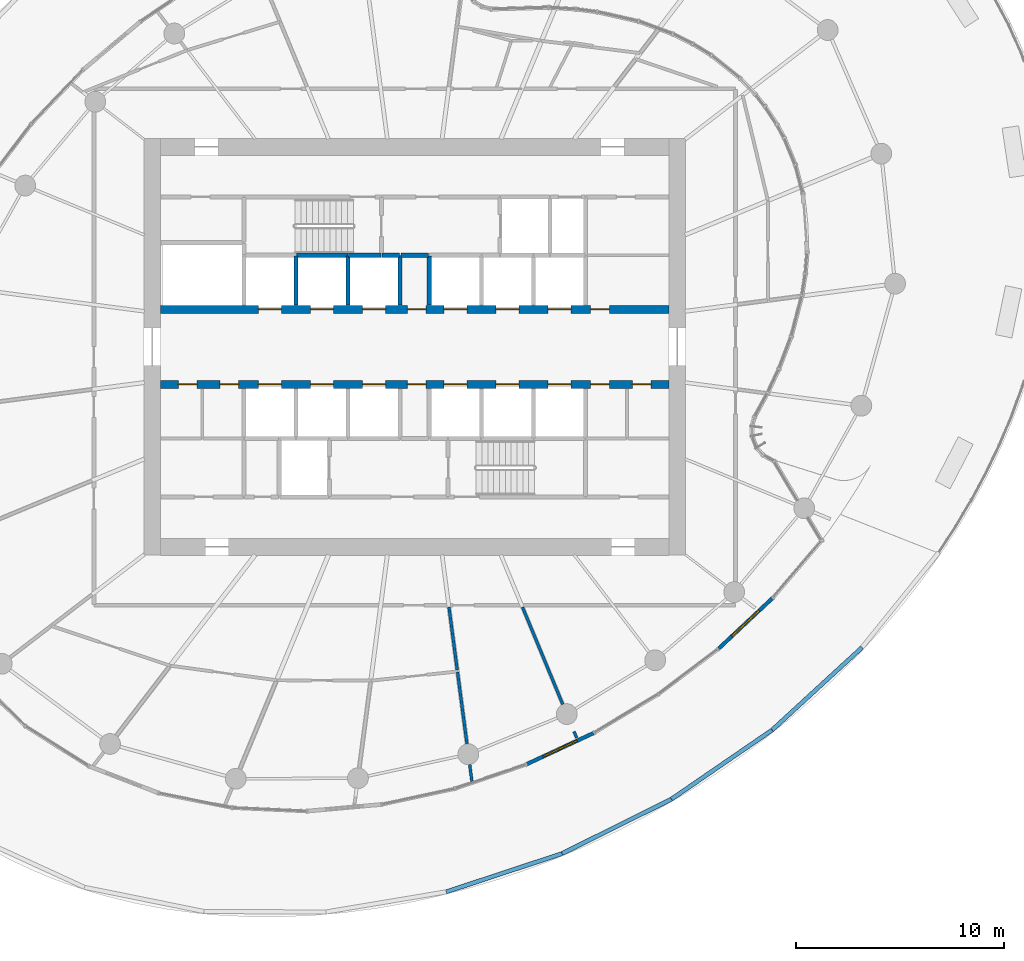
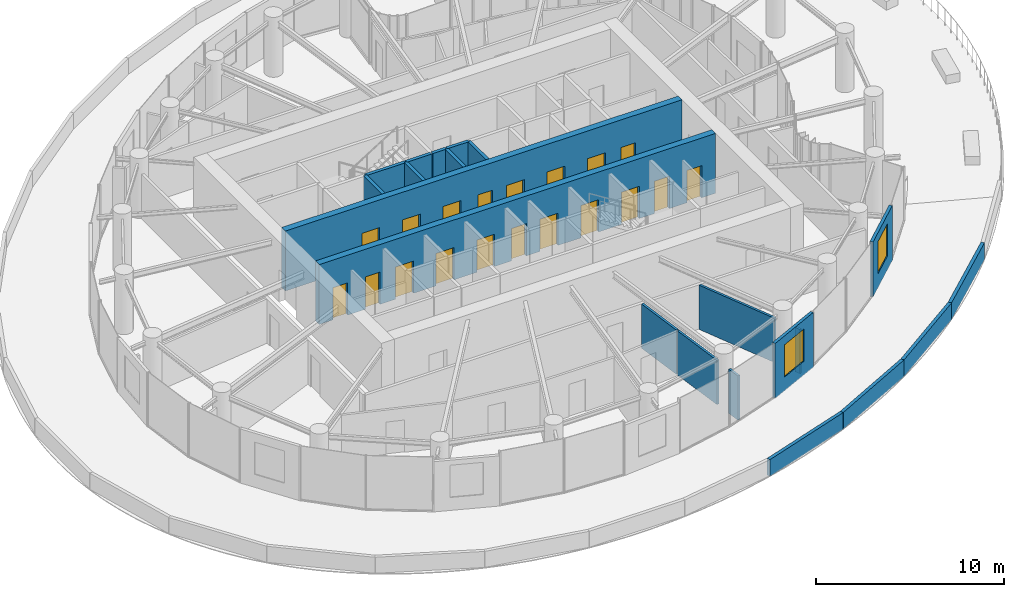
# One storey, part 14 of 21: 21 walls, 19 doors, 2 windows, 21 openings.
"""IFC4 building model written with IfcOpenShell, lengths in metres."""

from ifc_helpers import new_model, si_unit, direction, frame, frame_2d, origin, place, context, subcontext, project, spatial, rectangle, extrude, source, transform, mapped, material, layer, layer_set, type_object, element, fill, save


model = new_model("IFC4")

# Units and contexts
model_context = context("Model", 3, precision=1e-05, world=origin(), true_north=direction((0.0, 1.0)))
body_context = subcontext(model_context, "Body", "Model", "MODEL_VIEW")
ifc_project = project(units=[si_unit("LENGTHUNIT", "METRE"), si_unit("AREAUNIT", "SQUARE_METRE"), si_unit("VOLUMEUNIT", "CUBIC_METRE"), si_unit("PLANEANGLEUNIT", "RADIAN"), si_unit("MASSUNIT", "GRAM", prefix="KILO")], contexts=[model_context])

# Site, building, storey
site_placement = place(None, origin())
site = spatial("IfcSite", under=ifc_project, at=site_placement, CompositionType="ELEMENT")
building_placement = place(site_placement, origin())
building = spatial("IfcBuilding", under=site, at=building_placement, Name="Spindrift Exchange Tower", CompositionType="ELEMENT")
storey_placement = place(building_placement, frame((0.0, 0.0, 133.10009765625)))
storey = spatial("IfcBuildingStorey", under=building, at=storey_placement, Name="L31", CompositionType="ELEMENT", Elevation=133.10009765625)

# Walls
ifc_material_1 = material(Name="Concrete 40 MPa", Category="concrete")
ifc_layer_1 = layer(ifc_material_1, 0.199951171875)
ifc_layer_set_1 = layer_set([ifc_layer_1], Name="LEDGE PARAPET 1100")
wall_type_1 = type_object("IfcWallType", Name="LEDGE PARAPET 1100", PredefinedType="PARAPET", material=ifc_layer_set_1)
wall_1_placement = place(storey_placement, frame((73.472900390625, 33.572021484375, 0.0), z_axis=(0.0, 0.0, 1.0), x_axis=(-0.736607402207, -0.676320585975, 0.0)))
element("IfcWall", 1, at=wall_1_placement, inside=storey, type_object=wall_type_1, Name="L31 Ledge Parapet 2", PredefinedType="PARAPET", context=body_context, shape_type="SweptSolid", body=[
    extrude(rectangle(XDim=5.85986328125, YDim=0.199951171875, at=frame_2d((2.929931640625, 0.0))), origin(), (0.0, 0.0, 1.0), 1.099853515625),
])
wall_2_placement = place(storey_placement, frame((69.156494140625, 29.60888671875, 0.0), z_axis=(0.0, 0.0, 1.0), x_axis=(-0.824488962641, -0.565878034989, 0.0)))
element("IfcWall", 2, at=wall_2_placement, inside=storey, type_object=wall_type_1, Name="L31 Ledge Parapet 3", PredefinedType="PARAPET", context=body_context, shape_type="SweptSolid", body=[
    extrude(rectangle(XDim=5.860595703125, YDim=0.199951171875, at=frame_2d((2.93017578125, 0.0))), origin(), (0.0, 0.0, 1.0), 1.099853515625),
])
wall_3_placement = place(storey_placement, frame((64.324462890625, 26.29248046875, 0.0), z_axis=(0.0, 0.0, 1.0), x_axis=(-0.895150902045, -0.445763235998, 0.0)))
element("IfcWall", 3, at=wall_3_placement, inside=storey, type_object=wall_type_1, Name="L31 Ledge Parapet 4", PredefinedType="PARAPET", context=body_context, shape_type="SweptSolid", body=[
    extrude(rectangle(XDim=5.8603515625, YDim=0.199951171875, at=frame_2d((2.93017578125, 0.0))), origin(), (0.0, 0.0, 1.0), 1.099853515625),
])
wall_4_placement = place(storey_placement, frame((59.07861328125, 23.68017578125, 0.0), z_axis=(0.0, 0.0, 1.0), x_axis=(-0.949529786388, -0.313676879545, 0.0)))
element("IfcWall", 4, at=wall_4_placement, inside=storey, type_object=wall_type_1, Name="L31 Ledge Parapet 5", PredefinedType="PARAPET", context=body_context, shape_type="SweptSolid", body=[
    extrude(rectangle(XDim=5.85986328125, YDim=0.199951171875, at=frame_2d((2.929931640625, 0.0))), origin(), (0.0, 0.0, 1.0), 1.099853515625),
])

# Wall, openings, doors
ifc_material_2 = material(Name="Concrete 65 MPa", Category="concrete")
ifc_layer_2 = layer(ifc_material_2, 0.39990234375)
ifc_layer_set_2 = layer_set([ifc_layer_2], Name="RC Spine Wall 400 Concrete 65 MPa")
wall_type_2 = type_object("IfcWallType", Name="RC Spine Wall 400 Concrete 65 MPa", PredefinedType="SHEAR", material=ifc_layer_set_2)
wall_5_placement = place(storey_placement, frame((39.800048828125, 49.800048828125, 0.0), z_axis=(0.0, 0.0, 1.0), x_axis=(1.0, 0.0, 0.0)))
wall_5 = element("IfcWall", 5, at=wall_5_placement, inside=storey, type_object=wall_type_2, Name="Core spine wall N L31", PredefinedType="SHEAR", context=body_context, shape_type="SweptSolid", body=[
    extrude(rectangle(XDim=24.39990234375, YDim=0.39990234375, at=frame_2d((12.199951171875, 0.0))), origin(), (0.0, 0.0, 1.0), 3.89990234375),
])
opening_1_placement = place(wall_5_placement, frame((13.60009765625, 0.0, 0.0)))
opening_1 = element("IfcOpeningElement", 6, at=opening_1_placement, cuts=wall_5, Name="Opening L31-D3", PredefinedType="OPENING", context=body_context, shape_type="SweptSolid", body=[
    extrude(rectangle(XDim=1.10009765625, YDim=2.10009765625, at=frame_2d((0.550048828125, 1.050048828125))), frame((0.0, 0.2099609375, 0.0), z_axis=(0.0, -1.0, 0.0), x_axis=(1.0, 0.0, 0.0)), (0.0, 0.0, 1.0), 0.419921875),
])
opening_2_placement = place(wall_5_placement, frame((16.10009765625, 0.0, 0.0)))
opening_2 = element("IfcOpeningElement", 7, at=opening_2_placement, cuts=wall_5, Name="Opening L31-D4", PredefinedType="OPENING", context=body_context, shape_type="SweptSolid", body=[
    extrude(rectangle(XDim=1.10009765625, YDim=2.10009765625, at=frame_2d((0.550048828125, 1.050048828125))), frame((0.0, 0.2099609375, 0.0), z_axis=(0.0, -1.0, 0.0), x_axis=(1.0, 0.0, 0.0)), (0.0, 0.0, 1.0), 0.419921875),
])
opening_3_placement = place(wall_5_placement, frame((18.60009765625, 0.0, 0.0)))
opening_3 = element("IfcOpeningElement", 8, at=opening_3_placement, cuts=wall_5, Name="Opening L31-D5", PredefinedType="OPENING", context=body_context, shape_type="SweptSolid", body=[
    extrude(rectangle(XDim=1.10009765625, YDim=2.10009765625, at=frame_2d((0.550048828125, 1.050048828125))), frame((0.0, 0.2099609375, 0.0), z_axis=(0.0, -1.0, 0.0), x_axis=(1.0, 0.0, 0.0)), (0.0, 0.0, 1.0), 0.419921875),
])
opening_4_placement = place(wall_5_placement, frame((4.699951171875, 0.0, 0.0)))
opening_4 = element("IfcOpeningElement", 9, at=opening_4_placement, cuts=wall_5, Name="Opening L31-D9", PredefinedType="OPENING", context=body_context, shape_type="SweptSolid", body=[
    extrude(rectangle(XDim=1.10009765625, YDim=2.10009765625, at=frame_2d((0.550048828125, 1.050048828125))), frame((0.0, 0.2099609375, 0.0), z_axis=(0.0, -1.0, 0.0), x_axis=(1.0, 0.0, 0.0)), (0.0, 0.0, 1.0), 0.419921875),
])
opening_5_placement = place(wall_5_placement, frame((7.199951171875, 0.0, 0.0)))
opening_5 = element("IfcOpeningElement", 10, at=opening_5_placement, cuts=wall_5, Name="Opening L31-D10", PredefinedType="OPENING", context=body_context, shape_type="SweptSolid", body=[
    extrude(rectangle(XDim=1.10009765625, YDim=2.10009765625, at=frame_2d((0.550048828125, 1.050048828125))), frame((0.0, 0.2099609375, 0.0), z_axis=(0.0, -1.0, 0.0), x_axis=(1.0, 0.0, 0.0)), (0.0, 0.0, 1.0), 0.419921875),
])
opening_6_placement = place(wall_5_placement, frame((9.699951171875, 0.0, 0.0)))
opening_6 = element("IfcOpeningElement", 11, at=opening_6_placement, cuts=wall_5, Name="Opening L31-D11", PredefinedType="OPENING", context=body_context, shape_type="SweptSolid", body=[
    extrude(rectangle(XDim=1.10009765625, YDim=2.10009765625, at=frame_2d((0.550048828125, 1.050048828125))), frame((0.0, 0.2099609375, 0.0), z_axis=(0.0, -1.0, 0.0), x_axis=(1.0, 0.0, 0.0)), (0.0, 0.0, 1.0), 0.419921875),
])
opening_7_placement = place(wall_5_placement, frame((20.64990234375, 0.0, 0.0)))
opening_7 = element("IfcOpeningElement", 12, at=opening_7_placement, cuts=wall_5, Name="Opening L31-D54", PredefinedType="OPENING", context=body_context, shape_type="SweptSolid", body=[
    extrude(rectangle(XDim=0.89990234375, YDim=2.10009765625, at=frame_2d((0.449951171875, 1.050048828125))), frame((0.0, 0.2099609375, 0.0), z_axis=(0.0, -1.0, 0.0), x_axis=(1.0, 0.0, 0.0)), (0.0, 0.0, 1.0), 0.419921875),
])
opening_8_placement = place(wall_5_placement, frame((11.85009765625, 0.0, 0.0)))
opening_8 = element("IfcOpeningElement", 13, at=opening_8_placement, cuts=wall_5, Name="Opening L31-D59", PredefinedType="OPENING", context=body_context, shape_type="SweptSolid", body=[
    extrude(rectangle(XDim=0.89990234375, YDim=2.10009765625, at=frame_2d((0.449951171875, 1.050048828125))), frame((0.0, 0.2099609375, 0.0), z_axis=(0.0, -1.0, 0.0), x_axis=(1.0, 0.0, 0.0)), (0.0, 0.0, 1.0), 0.419921875),
])
ifc_material_3 = material(Name="Stainless steel landing door", Category="steel")
door_type_1 = type_object("IfcDoorType", Name="DR-LANDING-1100-SL", OperationType="DOUBLE_DOOR_SLIDING", PredefinedType="USERDEFINED", material=ifc_material_3)
shared_shape_1 = source(origin(), body_context, "Body", "SweptSolid", [
    extrude(rectangle(XDim=1.10009765625, YDim=2.10009765625, at=frame_2d((0.550048828125, 1.050048828125))), frame((0.0, 0.02490234375, 0.0), z_axis=(0.0, -1.0, 0.0), x_axis=(1.0, 0.0, 0.0)), (0.0, 0.0, 1.0), 0.050048828125),
])
door_1_placement = place(opening_1_placement, origin())
door_1 = element("IfcDoor", 14, at=door_1_placement, inside=storey, type_object=door_type_1, Name="L31 Lift landing door 3", ObjectType="LANDING DOOR", OperationType="DOUBLE_DOOR_SLIDING", OverallHeight=2.10009765625, OverallWidth=1.10009765625, PredefinedType="USERDEFINED", context=body_context, shape_type="MappedRepresentation", body=[
    mapped(shared_shape_1, transform((0.0, 0.0, 0.0), scale=1.0)),
])
fill(opening_1, door_1)
door_2_placement = place(opening_2_placement, origin())
door_2 = element("IfcDoor", 15, at=door_2_placement, inside=storey, type_object=door_type_1, Name="L31 Lift landing door 4", ObjectType="LANDING DOOR", OperationType="DOUBLE_DOOR_SLIDING", OverallHeight=2.10009765625, OverallWidth=1.10009765625, PredefinedType="USERDEFINED", context=body_context, shape_type="MappedRepresentation", body=[
    mapped(shared_shape_1, transform((0.0, 0.0, 0.0), scale=1.0)),
])
fill(opening_2, door_2)
door_3_placement = place(opening_3_placement, origin())
door_3 = element("IfcDoor", 16, at=door_3_placement, inside=storey, type_object=door_type_1, Name="L31 Lift landing door 5", ObjectType="LANDING DOOR", OperationType="DOUBLE_DOOR_SLIDING", OverallHeight=2.10009765625, OverallWidth=1.10009765625, PredefinedType="USERDEFINED", context=body_context, shape_type="MappedRepresentation", body=[
    mapped(shared_shape_1, transform((0.0, 0.0, 0.0), scale=1.0)),
])
fill(opening_3, door_3)
door_4_placement = place(opening_4_placement, origin())
door_4 = element("IfcDoor", 17, at=door_4_placement, inside=storey, type_object=door_type_1, Name="L31 Lift landing door 9", ObjectType="LANDING DOOR", OperationType="DOUBLE_DOOR_SLIDING", OverallHeight=2.10009765625, OverallWidth=1.10009765625, PredefinedType="USERDEFINED", context=body_context, shape_type="MappedRepresentation", body=[
    mapped(shared_shape_1, transform((0.0, 0.0, 0.0), scale=1.0)),
])
fill(opening_4, door_4)
door_5_placement = place(opening_5_placement, origin())
door_5 = element("IfcDoor", 18, at=door_5_placement, inside=storey, type_object=door_type_1, Name="L31 Lift landing door 10", ObjectType="LANDING DOOR", OperationType="DOUBLE_DOOR_SLIDING", OverallHeight=2.10009765625, OverallWidth=1.10009765625, PredefinedType="USERDEFINED", context=body_context, shape_type="MappedRepresentation", body=[
    mapped(shared_shape_1, transform((0.0, 0.0, 0.0), scale=1.0)),
])
fill(opening_5, door_5)
door_6_placement = place(opening_6_placement, origin())
door_6 = element("IfcDoor", 19, at=door_6_placement, inside=storey, type_object=door_type_1, Name="L31 Lift landing door 11", ObjectType="LANDING DOOR", OperationType="DOUBLE_DOOR_SLIDING", OverallHeight=2.10009765625, OverallWidth=1.10009765625, PredefinedType="USERDEFINED", context=body_context, shape_type="MappedRepresentation", body=[
    mapped(shared_shape_1, transform((0.0, 0.0, 0.0), scale=1.0)),
])
fill(opening_6, door_6)
ifc_material_4 = material(Name="Steel access door", Category="steel")
door_type_2 = type_object("IfcDoorType", Name="DR-RISER-900", OperationType="NOTDEFINED", PredefinedType="DOOR", material=ifc_material_4)
shared_shape_2 = source(origin(), body_context, "Body", "SweptSolid", [
    extrude(rectangle(XDim=0.89990234375, YDim=2.10009765625, at=frame_2d((0.449951171875, 1.050048828125))), frame((0.0, 0.02490234375, 0.0), z_axis=(0.0, -1.0, 0.0), x_axis=(1.0, 0.0, 0.0)), (0.0, 0.0, 1.0), 0.050048828125),
])
door_7_placement = place(opening_7_placement, origin())
door_7 = element("IfcDoor", 20, at=door_7_placement, inside=storey, type_object=door_type_2, Name="L31 Riser door 54", OperationType="SINGLE_SWING_LEFT", OverallHeight=2.10009765625, OverallWidth=0.89990234375, PredefinedType="DOOR", context=body_context, shape_type="MappedRepresentation", body=[
    mapped(shared_shape_2, transform((0.0, 0.0, 0.0), scale=1.0)),
])
fill(opening_7, door_7)
door_8_placement = place(opening_8_placement, origin())
door_8 = element("IfcDoor", 21, at=door_8_placement, inside=storey, type_object=door_type_2, Name="L31 Riser door 59", OperationType="SINGLE_SWING_RIGHT", OverallHeight=2.10009765625, OverallWidth=0.89990234375, PredefinedType="DOOR", context=body_context, shape_type="MappedRepresentation", body=[
    mapped(shared_shape_2, transform((0.0, 0.0, 0.0), scale=1.0)),
])
fill(opening_8, door_8)

wall_6_placement = place(storey_placement, frame((39.800048828125, 46.199951171875, 0.0), z_axis=(0.0, 0.0, 1.0), x_axis=(1.0, 0.0, 0.0)))
wall_6 = element("IfcWall", 22, at=wall_6_placement, inside=storey, type_object=wall_type_2, Name="Core spine wall S L31", PredefinedType="SHEAR", context=body_context, shape_type="SweptSolid", body=[
    extrude(rectangle(XDim=24.39990234375, YDim=0.39990234375, at=frame_2d((12.199951171875, 0.0))), origin(), (0.0, 0.0, 1.0), 3.89990234375),
])
opening_9_placement = place(wall_6_placement, frame((13.60009765625, 0.0, 0.0)))
opening_9 = element("IfcOpeningElement", 23, at=opening_9_placement, cuts=wall_6, Name="Opening L31-D6", PredefinedType="OPENING", context=body_context, shape_type="SweptSolid", body=[
    extrude(rectangle(XDim=1.10009765625, YDim=2.10009765625, at=frame_2d((0.550048828125, 1.050048828125))), frame((0.0, 0.2099609375, 0.0), z_axis=(0.0, -1.0, 0.0), x_axis=(1.0, 0.0, 0.0)), (0.0, 0.0, 1.0), 0.419921875),
])
opening_10_placement = place(wall_6_placement, frame((16.10009765625, 0.0, 0.0)))
opening_10 = element("IfcOpeningElement", 24, at=opening_10_placement, cuts=wall_6, Name="Opening L31-D7", PredefinedType="OPENING", context=body_context, shape_type="SweptSolid", body=[
    extrude(rectangle(XDim=1.10009765625, YDim=2.10009765625, at=frame_2d((0.550048828125, 1.050048828125))), frame((0.0, 0.2099609375, 0.0), z_axis=(0.0, -1.0, 0.0), x_axis=(1.0, 0.0, 0.0)), (0.0, 0.0, 1.0), 0.419921875),
])
opening_11_placement = place(wall_6_placement, frame((18.60009765625, 0.0, 0.0)))
opening_11 = element("IfcOpeningElement", 25, at=opening_11_placement, cuts=wall_6, Name="Opening L31-D8", PredefinedType="OPENING", context=body_context, shape_type="SweptSolid", body=[
    extrude(rectangle(XDim=1.10009765625, YDim=2.10009765625, at=frame_2d((0.550048828125, 1.050048828125))), frame((0.0, 0.2099609375, 0.0), z_axis=(0.0, -1.0, 0.0), x_axis=(1.0, 0.0, 0.0)), (0.0, 0.0, 1.0), 0.419921875),
])
opening_12_placement = place(wall_6_placement, frame((4.699951171875, 0.0, 0.0)))
opening_12 = element("IfcOpeningElement", 26, at=opening_12_placement, cuts=wall_6, Name="Opening L31-D12", PredefinedType="OPENING", context=body_context, shape_type="SweptSolid", body=[
    extrude(rectangle(XDim=1.10009765625, YDim=2.10009765625, at=frame_2d((0.550048828125, 1.050048828125))), frame((0.0, 0.2099609375, 0.0), z_axis=(0.0, -1.0, 0.0), x_axis=(1.0, 0.0, 0.0)), (0.0, 0.0, 1.0), 0.419921875),
])
opening_13_placement = place(wall_6_placement, frame((7.199951171875, 0.0, 0.0)))
opening_13 = element("IfcOpeningElement", 27, at=opening_13_placement, cuts=wall_6, Name="Opening L31-D13", PredefinedType="OPENING", context=body_context, shape_type="SweptSolid", body=[
    extrude(rectangle(XDim=1.10009765625, YDim=2.10009765625, at=frame_2d((0.550048828125, 1.050048828125))), frame((0.0, 0.2099609375, 0.0), z_axis=(0.0, -1.0, 0.0), x_axis=(1.0, 0.0, 0.0)), (0.0, 0.0, 1.0), 0.419921875),
])
opening_14_placement = place(wall_6_placement, frame((9.699951171875, 0.0, 0.0)))
opening_14 = element("IfcOpeningElement", 28, at=opening_14_placement, cuts=wall_6, Name="Opening L31-D14", PredefinedType="OPENING", context=body_context, shape_type="SweptSolid", body=[
    extrude(rectangle(XDim=1.10009765625, YDim=2.10009765625, at=frame_2d((0.550048828125, 1.050048828125))), frame((0.0, 0.2099609375, 0.0), z_axis=(0.0, -1.0, 0.0), x_axis=(1.0, 0.0, 0.0)), (0.0, 0.0, 1.0), 0.419921875),
])
opening_15_placement = place(wall_6_placement, frame((20.64990234375, 0.0, 0.0)))
opening_15 = element("IfcOpeningElement", 29, at=opening_15_placement, cuts=wall_6, Name="Opening L31-D52", PredefinedType="OPENING", context=body_context, shape_type="SweptSolid", body=[
    extrude(rectangle(XDim=0.89990234375, YDim=2.10009765625, at=frame_2d((0.449951171875, 1.050048828125))), frame((0.0, 0.2099609375, 0.0), z_axis=(0.0, -1.0, 0.0), x_axis=(1.0, 0.0, 0.0)), (0.0, 0.0, 1.0), 0.419921875),
])
opening_16_placement = place(wall_6_placement, frame((22.64990234375, 0.0, 0.0)))
opening_16 = element("IfcOpeningElement", 30, at=opening_16_placement, cuts=wall_6, Name="Opening L31-D53", PredefinedType="OPENING", context=body_context, shape_type="SweptSolid", body=[
    extrude(rectangle(XDim=0.89990234375, YDim=2.10009765625, at=frame_2d((0.449951171875, 1.050048828125))), frame((0.0, 0.2099609375, 0.0), z_axis=(0.0, -1.0, 0.0), x_axis=(1.0, 0.0, 0.0)), (0.0, 0.0, 1.0), 0.419921875),
])
opening_17_placement = place(wall_6_placement, frame((0.85009765625, 0.0, 0.0)))
opening_17 = element("IfcOpeningElement", 31, at=opening_17_placement, cuts=wall_6, Name="Opening L31-D57", PredefinedType="OPENING", context=body_context, shape_type="SweptSolid", body=[
    extrude(rectangle(XDim=0.89990234375, YDim=2.10009765625, at=frame_2d((0.449951171875, 1.050048828125))), frame((0.0, 0.2099609375, 0.0), z_axis=(0.0, -1.0, 0.0), x_axis=(1.0, 0.0, 0.0)), (0.0, 0.0, 1.0), 0.419921875),
])
opening_18_placement = place(wall_6_placement, frame((2.85009765625, 0.0, 0.0)))
opening_18 = element("IfcOpeningElement", 32, at=opening_18_placement, cuts=wall_6, Name="Opening L31-D58", PredefinedType="OPENING", context=body_context, shape_type="SweptSolid", body=[
    extrude(rectangle(XDim=0.89990234375, YDim=2.10009765625, at=frame_2d((0.449951171875, 1.050048828125))), frame((0.0, 0.2099609375, 0.0), z_axis=(0.0, -1.0, 0.0), x_axis=(1.0, 0.0, 0.0)), (0.0, 0.0, 1.0), 0.419921875),
])
opening_19_placement = place(wall_6_placement, frame((11.85009765625, 0.0, 0.0)))
opening_19 = element("IfcOpeningElement", 33, at=opening_19_placement, cuts=wall_6, Name="Opening L31-D60", PredefinedType="OPENING", context=body_context, shape_type="SweptSolid", body=[
    extrude(rectangle(XDim=0.89990234375, YDim=2.10009765625, at=frame_2d((0.449951171875, 1.050048828125))), frame((0.0, 0.2099609375, 0.0), z_axis=(0.0, -1.0, 0.0), x_axis=(1.0, 0.0, 0.0)), (0.0, 0.0, 1.0), 0.419921875),
])
door_9_placement = place(opening_9_placement, origin())
door_9 = element("IfcDoor", 34, at=door_9_placement, inside=storey, type_object=door_type_1, Name="L31 Lift landing door 6", ObjectType="LANDING DOOR", OperationType="DOUBLE_DOOR_SLIDING", OverallHeight=2.10009765625, OverallWidth=1.10009765625, PredefinedType="USERDEFINED", context=body_context, shape_type="MappedRepresentation", body=[
    mapped(shared_shape_1, transform((0.0, 0.0, 0.0), scale=1.0)),
])
fill(opening_9, door_9)
door_10_placement = place(opening_10_placement, origin())
door_10 = element("IfcDoor", 35, at=door_10_placement, inside=storey, type_object=door_type_1, Name="L31 Lift landing door 7", ObjectType="LANDING DOOR", OperationType="DOUBLE_DOOR_SLIDING", OverallHeight=2.10009765625, OverallWidth=1.10009765625, PredefinedType="USERDEFINED", context=body_context, shape_type="MappedRepresentation", body=[
    mapped(shared_shape_1, transform((0.0, 0.0, 0.0), scale=1.0)),
])
fill(opening_10, door_10)
door_11_placement = place(opening_11_placement, origin())
door_11 = element("IfcDoor", 36, at=door_11_placement, inside=storey, type_object=door_type_1, Name="L31 Lift landing door 8", ObjectType="LANDING DOOR", OperationType="DOUBLE_DOOR_SLIDING", OverallHeight=2.10009765625, OverallWidth=1.10009765625, PredefinedType="USERDEFINED", context=body_context, shape_type="MappedRepresentation", body=[
    mapped(shared_shape_1, transform((0.0, 0.0, 0.0), scale=1.0)),
])
fill(opening_11, door_11)
door_12_placement = place(opening_12_placement, origin())
door_12 = element("IfcDoor", 37, at=door_12_placement, inside=storey, type_object=door_type_1, Name="L31 Lift landing door 12", ObjectType="LANDING DOOR", OperationType="DOUBLE_DOOR_SLIDING", OverallHeight=2.10009765625, OverallWidth=1.10009765625, PredefinedType="USERDEFINED", context=body_context, shape_type="MappedRepresentation", body=[
    mapped(shared_shape_1, transform((0.0, 0.0, 0.0), scale=1.0)),
])
fill(opening_12, door_12)
door_13_placement = place(opening_13_placement, origin())
door_13 = element("IfcDoor", 38, at=door_13_placement, inside=storey, type_object=door_type_1, Name="L31 Lift landing door 13", ObjectType="LANDING DOOR", OperationType="DOUBLE_DOOR_SLIDING", OverallHeight=2.10009765625, OverallWidth=1.10009765625, PredefinedType="USERDEFINED", context=body_context, shape_type="MappedRepresentation", body=[
    mapped(shared_shape_1, transform((0.0, 0.0, 0.0), scale=1.0)),
])
fill(opening_13, door_13)
door_14_placement = place(opening_14_placement, origin())
door_14 = element("IfcDoor", 39, at=door_14_placement, inside=storey, type_object=door_type_1, Name="L31 Lift landing door 14", ObjectType="LANDING DOOR", OperationType="DOUBLE_DOOR_SLIDING", OverallHeight=2.10009765625, OverallWidth=1.10009765625, PredefinedType="USERDEFINED", context=body_context, shape_type="MappedRepresentation", body=[
    mapped(shared_shape_1, transform((0.0, 0.0, 0.0), scale=1.0)),
])
fill(opening_14, door_14)
door_15_placement = place(opening_15_placement, origin())
door_15 = element("IfcDoor", 40, at=door_15_placement, inside=storey, type_object=door_type_2, Name="L31 Riser door 52", OperationType="SINGLE_SWING_LEFT", OverallHeight=2.10009765625, OverallWidth=0.89990234375, PredefinedType="DOOR", context=body_context, shape_type="MappedRepresentation", body=[
    mapped(shared_shape_2, transform((0.0, 0.0, 0.0), scale=1.0)),
])
fill(opening_15, door_15)
door_16_placement = place(opening_16_placement, origin())
door_16 = element("IfcDoor", 41, at=door_16_placement, inside=storey, type_object=door_type_2, Name="L31 Riser door 53", OperationType="SINGLE_SWING_RIGHT", OverallHeight=2.10009765625, OverallWidth=0.89990234375, PredefinedType="DOOR", context=body_context, shape_type="MappedRepresentation", body=[
    mapped(shared_shape_2, transform((0.0, 0.0, 0.0), scale=1.0)),
])
fill(opening_16, door_16)
door_17_placement = place(opening_17_placement, origin())
door_17 = element("IfcDoor", 42, at=door_17_placement, inside=storey, type_object=door_type_2, Name="L31 Riser door 57", OperationType="SINGLE_SWING_RIGHT", OverallHeight=2.10009765625, OverallWidth=0.89990234375, PredefinedType="DOOR", context=body_context, shape_type="MappedRepresentation", body=[
    mapped(shared_shape_2, transform((0.0, 0.0, 0.0), scale=1.0)),
])
fill(opening_17, door_17)
door_18_placement = place(opening_18_placement, origin())
door_18 = element("IfcDoor", 43, at=door_18_placement, inside=storey, type_object=door_type_2, Name="L31 Riser door 58", OperationType="SINGLE_SWING_LEFT", OverallHeight=2.10009765625, OverallWidth=0.89990234375, PredefinedType="DOOR", context=body_context, shape_type="MappedRepresentation", body=[
    mapped(shared_shape_2, transform((0.0, 0.0, 0.0), scale=1.0)),
])
fill(opening_18, door_18)
door_19_placement = place(opening_19_placement, origin())
door_19 = element("IfcDoor", 44, at=door_19_placement, inside=storey, type_object=door_type_2, Name="L31 Riser door 60", OperationType="SINGLE_SWING_LEFT", OverallHeight=2.10009765625, OverallWidth=0.89990234375, PredefinedType="DOOR", context=body_context, shape_type="MappedRepresentation", body=[
    mapped(shared_shape_2, transform((0.0, 0.0, 0.0), scale=1.0)),
])
fill(opening_19, door_19)

# Wall, opening, window
ifc_material_5 = material(Name="Bronze anodised aluminium frame with fritted laminated glass spandrel", Category="aluminium")
ifc_layer_3 = layer(ifc_material_5, 0.179931640625)
ifc_layer_set_3 = layer_set([ifc_layer_3], Name="UNITISED FRAME WALL")
wall_type_3 = type_object("IfcWallType", Name="UNITISED FRAME WALL", PredefinedType="STANDARD", material=ifc_layer_set_3)
wall_7_placement = place(storey_placement, frame((57.375, 27.969482421875, 0.0), z_axis=(0.0, 0.0, 1.0), x_axis=(0.906604865337, 0.421980589776, 0.0)))
wall_7 = element("IfcWall", 45, at=wall_7_placement, inside=storey, type_object=wall_type_3, Name="L31 Frame Wall 23", PredefinedType="STANDARD", context=body_context, shape_type="SweptSolid", body=[
    extrude(rectangle(XDim=3.531005859375, YDim=0.179931640625, at=frame_2d((1.765625, 0.0))), origin(), (0.0, 0.0, 1.0), 3.579833984375),
])
opening_20_placement = place(wall_7_placement, frame((0.865478515625, 0.0, 0.89990234375)))
opening_20 = element("IfcOpeningElement", 46, at=opening_20_placement, cuts=wall_7, Name="Opening WV31-08", PredefinedType="OPENING", context=body_context, shape_type="SweptSolid", body=[
    extrude(rectangle(XDim=1.800048828125, YDim=2.10009765625, at=frame_2d((0.89990234375, 1.050048828125))), frame((0.0, 0.099853515625, 0.0), z_axis=(0.0, -1.0, 0.0), x_axis=(1.0, 0.0, 0.0)), (0.0, 0.0, 1.0), 0.199951171875),
])
ifc_material_6 = material(Name="Clear laminated low-iron glass in bronze frame", Category="glass")
window_type = type_object("IfcWindowType", Name="OPERABLE CLEAR VENT 1800X2100", PartitioningType="SINGLE_PANEL", PredefinedType="WINDOW", material=ifc_material_6)
shared_shape_3 = source(origin(), body_context, "Body", "SweptSolid", [
    extrude(rectangle(XDim=1.800048828125, YDim=2.10009765625, at=frame_2d((0.89990234375, 1.050048828125))), frame((0.0, 0.030029296875, 0.0), z_axis=(0.0, -1.0, 0.0), x_axis=(1.0, 0.0, 0.0)), (0.0, 0.0, 1.0), 0.06005859375),
])
window_1_placement = place(opening_20_placement, origin())
window_1 = element("IfcWindow", 47, at=window_1_placement, inside=storey, type_object=window_type, Name="L31 Operable Vent WV31-08", OverallHeight=2.10009765625, OverallWidth=1.800048828125, PartitioningType="SINGLE_PANEL", PredefinedType="WINDOW", context=body_context, shape_type="MappedRepresentation", body=[
    mapped(shared_shape_3, transform((0.0, 0.0, 0.0), scale=1.0)),
])
fill(opening_20, window_1)

wall_8_placement = place(storey_placement, frame((66.59423828125, 33.52197265625, 0.0), z_axis=(0.0, 0.0, 1.0), x_axis=(0.729623450538, 0.683849121097, 0.0)))
wall_8 = element("IfcWall", 48, at=wall_8_placement, inside=storey, type_object=wall_type_3, Name="L31 Frame Wall 26", PredefinedType="STANDARD", context=body_context, shape_type="SweptSolid", body=[
    extrude(rectangle(XDim=3.53076171875, YDim=0.179931640625, at=frame_2d((1.765380859375, 0.0))), origin(), (0.0, 0.0, 1.0), 3.579833984375),
])
opening_21_placement = place(wall_8_placement, frame((0.865234375, 0.0, 0.89990234375)))
opening_21 = element("IfcOpeningElement", 49, at=opening_21_placement, cuts=wall_8, Name="Opening WV31-09", PredefinedType="OPENING", context=body_context, shape_type="SweptSolid", body=[
    extrude(rectangle(XDim=1.800048828125, YDim=2.10009765625, at=frame_2d((0.89990234375, 1.050048828125))), frame((0.0, 0.099853515625, 0.0), z_axis=(0.0, -1.0, 0.0), x_axis=(1.0, 0.0, 0.0)), (0.0, 0.0, 1.0), 0.199951171875),
])
window_2_placement = place(opening_21_placement, origin())
window_2 = element("IfcWindow", 50, at=window_2_placement, inside=storey, type_object=window_type, Name="L31 Operable Vent WV31-09", OverallHeight=2.10009765625, OverallWidth=1.800048828125, PartitioningType="SINGLE_PANEL", PredefinedType="WINDOW", context=body_context, shape_type="MappedRepresentation", body=[
    mapped(shared_shape_3, transform((0.0, 0.0, 0.0), scale=1.0)),
])
fill(opening_21, window_2)

# Walls
ifc_material_7 = material(Name="Fire-rated plasterboard partition", Category="gypsum")
ifc_layer_4 = layer(ifc_material_7, 0.139892578125)
ifc_layer_set_4 = layer_set([ifc_layer_4], Name="W-PART-140")
wall_type_4 = type_object("IfcWallType", Name="W-PART-140", PredefinedType="PARTITIONING", material=ifc_layer_set_4)
wall_9_placement = place(storey_placement, frame((57.173583984375, 35.510009765625, 0.0), z_axis=(0.0, 0.0, 1.0), x_axis=(0.382690261322, -0.923876703835, 0.0)))
element("IfcWall", 51, at=wall_9_placement, inside=storey, type_object=wall_type_4, Name="L31 Partition wall 71", PredefinedType="PARTITIONING", context=body_context, shape_type="SweptSolid", body=[
    extrude(rectangle(XDim=5.053955078125, YDim=0.139892578125, at=frame_2d((2.52685546875, 0.0))), origin(), (0.0, 0.0, 1.0), 2.8798828125),
])
wall_10_placement = place(storey_placement, frame((54.05517578125, 32.389892578125, 0.0), z_axis=(0.0, 0.0, 1.0), x_axis=(0.130481806014, -0.991450703918, 0.0)))
element("IfcWall", 52, at=wall_10_placement, inside=storey, type_object=wall_type_4, Name="L31 Partition wall 83", PredefinedType="PARTITIONING", context=body_context, shape_type="SweptSolid", body=[
    extrude(rectangle(XDim=3.470947265625, YDim=0.139892578125, at=frame_2d((1.7353515625, 0.0))), origin(), (0.0, 0.0, 1.0), 2.8798828125),
])
wall_11_placement = place(storey_placement, frame((53.644287109375, 35.510009765625, 0.0), z_axis=(0.0, 0.0, 1.0), x_axis=(0.130520836254, -0.991445566485, 0.0)))
element("IfcWall", 53, at=wall_11_placement, inside=storey, type_object=wall_type_4, Name="L31 Partition wall 85", PredefinedType="PARTITIONING", context=body_context, shape_type="SweptSolid", body=[
    extrude(rectangle(XDim=3.047119140625, YDim=0.139892578125, at=frame_2d((1.5234375, 0.0))), origin(), (0.0, 0.0, 1.0), 2.8798828125),
])
wall_12_placement = place(storey_placement, frame((54.639892578125, 27.948486328125, 0.0), z_axis=(0.0, 0.0, 1.0), x_axis=(0.130376080529, -0.991464612392, 0.0)))
element("IfcWall", 54, at=wall_12_placement, inside=storey, type_object=wall_type_4, Name="L31 Partition wall 108", PredefinedType="PARTITIONING", context=body_context, shape_type="SweptSolid", body=[
    extrude(rectangle(XDim=0.80517578125, YDim=0.139892578125, at=frame_2d((0.402587890625, 0.0))), origin(), (0.0, 0.0, 1.0), 2.8798828125),
])
wall_13_placement = place(storey_placement, frame((59.647216796875, 29.5380859375, 0.0), z_axis=(0.0, 0.0, 1.0), x_axis=(0.38265863017, -0.923889805527, 0.0)))
element("IfcWall", 55, at=wall_13_placement, inside=storey, type_object=wall_type_4, Name="L31 Partition wall 109", PredefinedType="PARTITIONING", context=body_context, shape_type="SweptSolid", body=[
    extrude(rectangle(XDim=0.327880859375, YDim=0.139892578125, at=frame_2d((0.1640625, 0.0))), origin(), (0.0, 0.0, 1.0), 2.8798828125),
])
ifc_layer_5 = layer(ifc_material_1, 0.199951171875)
ifc_layer_set_5 = layer_set([ifc_layer_5], Name="W-SHAFT-200")
wall_type_5 = type_object("IfcWallType", Name="W-SHAFT-200", PredefinedType="SOLIDWALL", material=ifc_layer_set_5)
wall_14_placement = place(storey_placement, frame((51.300048828125, 50.010009765625, 0.0), z_axis=(0.0, 0.0, 1.0), x_axis=(0.0, 1.0, 0.0)))
element("IfcWall", 56, at=wall_14_placement, inside=storey, type_object=wall_type_5, Name="L31 Shaft wall 30", PredefinedType="SOLIDWALL", context=body_context, shape_type="SweptSolid", body=[
    extrude(rectangle(XDim=2.389892578125, YDim=0.199951171875, at=frame_2d((1.19482421875, 0.0))), origin(), (0.0, 0.0, 1.0), 3.579833984375),
])
wall_15_placement = place(storey_placement, frame((52.699951171875, 52.3701171875, 0.0), z_axis=(0.0, 0.0, 1.0), x_axis=(0.0, -1.0, 0.0)))
element("IfcWall", 57, at=wall_15_placement, inside=storey, type_object=wall_type_5, Name="L31 Shaft wall 32", PredefinedType="SOLIDWALL", context=body_context, shape_type="SweptSolid", body=[
    extrude(rectangle(XDim=2.360107421875, YDim=0.199951171875, at=frame_2d((1.18017578125, 0.0))), origin(), (0.0, 0.0, 1.0), 3.579833984375),
])
wall_16_placement = place(storey_placement, frame((51.330078125, 52.39990234375, 0.0), z_axis=(0.0, 0.0, 1.0), x_axis=(1.0, 0.0, 0.0)))
element("IfcWall", 58, at=wall_16_placement, inside=storey, type_object=wall_type_5, Name="L31 Shaft wall 49", PredefinedType="SOLIDWALL", context=body_context, shape_type="SweptSolid", body=[
    extrude(rectangle(XDim=1.33984375, YDim=0.199951171875, at=frame_2d((0.669921875, 0.0))), origin(), (0.0, 0.0, 1.0), 3.579833984375),
])
ifc_layer_6 = layer(ifc_material_1, 0.199951171875)
ifc_layer_set_6 = layer_set([ifc_layer_6], Name="W-SHAFT-200-LB")
wall_type_6 = type_object("IfcWallType", Name="W-SHAFT-200-LB", PredefinedType="SOLIDWALL", material=ifc_layer_set_6)
wall_17_placement = place(storey_placement, frame((48.800048828125, 52.39990234375, 0.0), z_axis=(0.0, 0.0, 1.0), x_axis=(-1.0, 0.0, 0.0)))
element("IfcWall", 59, at=wall_17_placement, inside=storey, type_object=wall_type_6, Name="L31 Shaft wall 16", PredefinedType="SOLIDWALL", context=body_context, shape_type="SweptSolid", body=[
    extrude(rectangle(XDim=2.469970703125, YDim=0.199951171875, at=frame_2d((1.23486328125, 0.0))), origin(), (0.0, 0.0, 1.0), 3.579833984375),
])
for number, where, z_axis, x_axis, name in (
    (60, (46.300048828125, 50.010009765625, 0.0), (0.0, 0.0, 1.0), (0.0, 1.0, 0.0), "L31 Shaft wall 26"),
    (61, (48.800048828125, 50.010009765625, 0.0), (0.0, 0.0, 1.0), (0.0, 1.0, 0.0), "L31 Shaft wall 28"),
):
    element("IfcWall", number, at=place(storey_placement, frame(where, z_axis=z_axis, x_axis=x_axis)), inside=storey, type_object=wall_type_6, Name=name, PredefinedType="SOLIDWALL", context=body_context, shape_type="SweptSolid", body=[
        extrude(rectangle(XDim=2.360107421875, YDim=0.199951171875, at=frame_2d((1.18017578125, 0.0))), origin(), (0.0, 0.0, 1.0), 3.579833984375),
    ])
wall_18_placement = place(storey_placement, frame((50.3701171875, 52.39990234375, 0.0), z_axis=(0.0, 0.0, 1.0), x_axis=(-1.0, 0.0, 0.0)))
element("IfcWall", 62, at=wall_18_placement, inside=storey, type_object=wall_type_6, Name="L31 Shaft wall 45", PredefinedType="SOLIDWALL", context=body_context, shape_type="SweptSolid", body=[
    extrude(rectangle(XDim=1.5400390625, YDim=0.199951171875, at=frame_2d((0.77001953125, 0.0))), origin(), (0.0, 0.0, 1.0), 3.579833984375),
])
wall_19_placement = place(storey_placement, frame((51.27001953125, 52.39990234375, 0.0), z_axis=(0.0, 0.0, 1.0), x_axis=(-1.0, 0.0, 0.0)))
element("IfcWall", 63, at=wall_19_placement, inside=storey, type_object=wall_type_6, Name="L31 Shaft wall 51", PredefinedType="SOLIDWALL", context=body_context, shape_type="SweptSolid", body=[
    extrude(rectangle(XDim=0.840087890625, YDim=0.199951171875, at=frame_2d((0.419921875, 0.0))), origin(), (0.0, 0.0, 1.0), 3.579833984375),
])

save(model, "model.ifc")
